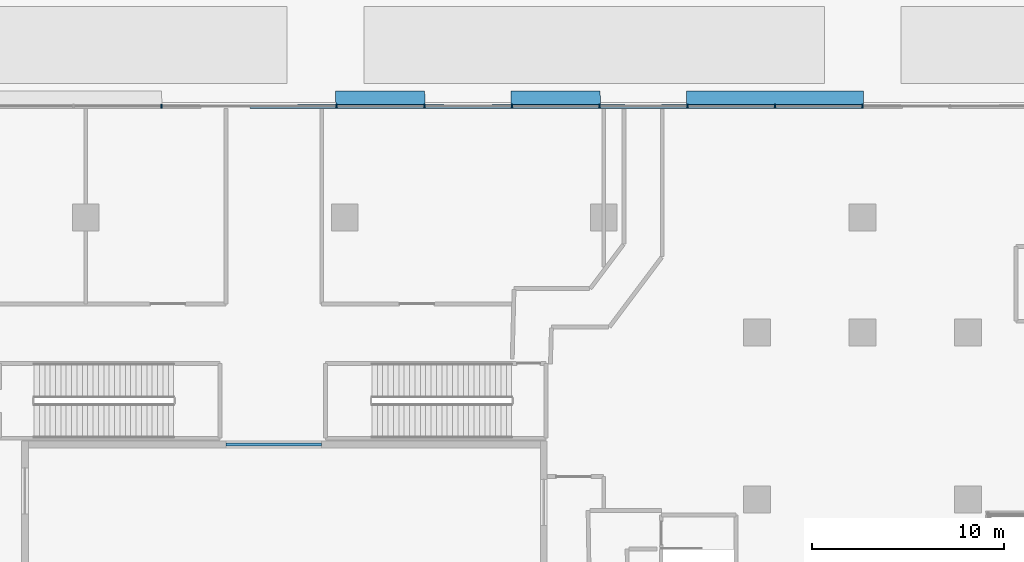
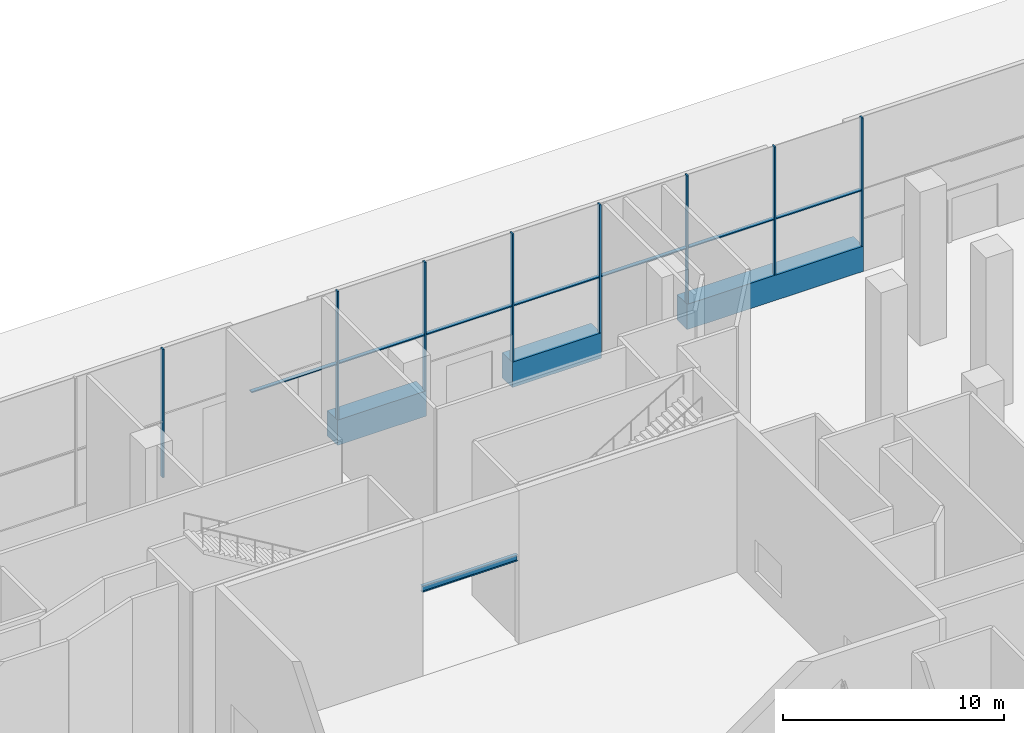
# One storey, part 9 of 54: 18 members, 1 beam, 1 element without a shape of its own.
"""IFC4 building model written with IfcOpenShell, lengths in metres."""

from ifc_helpers import new_model, si_unit, direction, frame, origin, origin_2d, place, context, subcontext, project, spatial, polyline, rectangle, i_section, outline, extrude, material, layer, layer_set, material_profile, profile_set, type_object, element, aggregate, save


model = new_model("IFC4")

# Units and contexts
model_context = context("Model", 3, precision=1e-05, world=origin(), true_north=direction((0.0, 1.0)))
body_context = subcontext(model_context, "Body", "Model", "MODEL_VIEW")
ifc_project = project(units=[si_unit("LENGTHUNIT", "METRE"), si_unit("AREAUNIT", "SQUARE_METRE"), si_unit("VOLUMEUNIT", "CUBIC_METRE"), si_unit("PLANEANGLEUNIT", "RADIAN"), si_unit("MASSUNIT", "GRAM", prefix="KILO")], contexts=[model_context])

# Site, building, storey
site_placement = place(None, origin())
site = spatial("IfcSite", under=ifc_project, at=site_placement, CompositionType="ELEMENT")
building_placement = place(site_placement, origin())
building = spatial("IfcBuilding", under=site, at=building_placement, Name="Tamarind Cross Interchange Tower", CompositionType="ELEMENT")
storey_placement = place(building_placement, origin())
storey = spatial("IfcBuildingStorey", under=building, at=storey_placement, Name="L00", CompositionType="ELEMENT", Elevation=0.0)

# Curtain wall, members
ifc_material_1 = material(Name="Aluminium 6063-T6", Category="aluminium")
ifc_layer = layer(ifc_material_1, 0.199951171875)
ifc_layer_set = layer_set([ifc_layer], Name="Aluminium 6063-T6")
curtain_wall_type = type_object("IfcCurtainWallType", Name="Podium shopfront and station curtain wall", PredefinedType="NOTDEFINED", material=ifc_layer_set)
curtain_wall_placement = place(storey_placement, origin())
curtain_wall = element("IfcCurtainWall", 1, at=curtain_wall_placement, inside=storey, type_object=curtain_wall_type, Name="CWS-L00-02", PredefinedType="NOTDEFINED")
ifc_material_2 = material(Name="Aluminium and insulated spandrel panel", Category="aluminium")
member_type_1 = type_object("IfcMemberType", Name="Floor-edge blade transom", PredefinedType="USERDEFINED", material=ifc_material_2)
member_1_placement = place(storey_placement, origin())
member_1 = element("IfcMember", 2, at=member_1_placement, type_object=member_type_1, Name="CWT-L00-02-4", ObjectType="TRANSOM", PredefinedType="USERDEFINED", context=body_context, shape_type="SweptSolid", body=[
    extrude(outline(polyline([(0.0400390625, 59.699951171875), (-9.179443359375, 59.699951171875), (-9.189697265625, 60.60009765625), (0.0400390625, 60.60009765625), (0.0400390625, 59.699951171875)])), origin(), (0.0, 0.0, 1.0), 1.39990234375),
])
member_2_placement = place(storey_placement, origin())
member_2 = element("IfcMember", 3, at=member_2_placement, type_object=member_type_1, Name="CWT-L00-02-5", ObjectType="TRANSOM", PredefinedType="USERDEFINED", context=body_context, shape_type="SweptSolid", body=[
    extrude(outline(polyline([(-13.669189453125, 59.699951171875), (-18.31884765625, 59.699951171875), (-18.33935546875, 60.60009765625), (-13.684326171875, 60.60009765625), (-13.669189453125, 59.699951171875)])), origin(), (0.0, 0.0, 1.0), 1.39990234375),
])
member_3_placement = place(storey_placement, origin())
member_3 = element("IfcMember", 4, at=member_3_placement, type_object=member_type_1, Name="CWT-L00-02-6", ObjectType="TRANSOM", PredefinedType="USERDEFINED", context=body_context, shape_type="SweptSolid", body=[
    extrude(outline(polyline([(-22.808837890625, 59.699951171875), (-27.45849609375, 59.699951171875), (-27.48876953125, 60.60009765625), (-22.833984375, 60.60009765625), (-22.808837890625, 59.699951171875)])), origin(), (0.0, 0.0, 1.0), 1.39990234375),
])
ifc_material_profile_1 = material_profile(ifc_material_1, rectangle(XDim=0.080078125, YDim=0.199951171875, at=origin_2d()), Name="Mullion CW3")
ifc_profile_set_1 = profile_set([ifc_material_profile_1], Name="Aluminium 6063-T6")
member_type_2 = type_object("IfcMemberType", Name="Mullion CW3", PredefinedType="MULLION", material=ifc_profile_set_1)
member_4_placement = place(storey_placement, frame((0.0, 59.800048828125, 1.39990234375), z_axis=(0.0, 0.0, 1.0), x_axis=(-1.0, 0.0, 0.0)))
member_4 = element("IfcMember", 5, at=member_4_placement, type_object=member_type_2, Name="CWM-L00-02-14", PredefinedType="MULLION", context=body_context, shape_type="SweptSolid", body=[
    extrude(rectangle(XDim=0.080078125, YDim=0.199951171875, at=origin_2d()), origin(), (0.0, 0.0, 1.0), 7.10009765625),
])
member_5_placement = place(storey_placement, frame((-4.5703125, 59.800048828125, 1.39990234375), z_axis=(0.0, 0.0, 1.0), x_axis=(-1.0, 0.0, 0.0)))
member_5 = element("IfcMember", 6, at=member_5_placement, type_object=member_type_2, Name="CWM-L00-02-15", PredefinedType="MULLION", context=body_context, shape_type="SweptSolid", body=[
    extrude(rectangle(XDim=0.080078125, YDim=0.199951171875, at=origin_2d()), origin(), (0.0, 0.0, 1.0), 7.10009765625),
])
member_6_placement = place(storey_placement, frame((-9.140625, 59.800048828125, 1.39990234375), z_axis=(0.0, 0.0, 1.0), x_axis=(-1.0, 0.0, 0.0)))
member_6 = element("IfcMember", 7, at=member_6_placement, type_object=member_type_2, Name="CWM-L00-02-16", PredefinedType="MULLION", context=body_context, shape_type="SweptSolid", body=[
    extrude(rectangle(XDim=0.080078125, YDim=0.199951171875, at=origin_2d()), origin(), (0.0, 0.0, 1.0), 7.10009765625),
])
member_7_placement = place(storey_placement, frame((-13.7109375, 59.800048828125, 1.39990234375), z_axis=(0.0, 0.0, 1.0), x_axis=(-1.0, 0.0, 0.0)))
member_7 = element("IfcMember", 8, at=member_7_placement, type_object=member_type_2, Name="CWM-L00-02-17", PredefinedType="MULLION", context=body_context, shape_type="SweptSolid", body=[
    extrude(rectangle(XDim=0.080078125, YDim=0.199951171875, at=origin_2d()), origin(), (0.0, 0.0, 1.0), 7.10009765625),
])
member_8_placement = place(storey_placement, frame((-18.28125, 59.800048828125, 1.39990234375), z_axis=(0.0, 0.0, 1.0), x_axis=(-1.0, 0.0, 0.0)))
member_8 = element("IfcMember", 9, at=member_8_placement, type_object=member_type_2, Name="CWM-L00-02-18", PredefinedType="MULLION", context=body_context, shape_type="SweptSolid", body=[
    extrude(rectangle(XDim=0.080078125, YDim=0.199951171875, at=origin_2d()), origin(), (0.0, 0.0, 1.0), 7.10009765625),
])
member_9_placement = place(storey_placement, frame((-22.8515625, 59.800048828125, 1.39990234375), z_axis=(0.0, 0.0, 1.0), x_axis=(-1.0, 0.0, 0.0)))
member_9 = element("IfcMember", 10, at=member_9_placement, type_object=member_type_2, Name="CWM-L00-02-19", PredefinedType="MULLION", context=body_context, shape_type="SweptSolid", body=[
    extrude(rectangle(XDim=0.080078125, YDim=0.199951171875, at=origin_2d()), origin(), (0.0, 0.0, 1.0), 7.10009765625),
])
member_10_placement = place(storey_placement, frame((-27.421875, 59.800048828125, 1.39990234375), z_axis=(0.0, 0.0, 1.0), x_axis=(-1.0, 0.0, 0.0)))
member_10 = element("IfcMember", 11, at=member_10_placement, type_object=member_type_2, Name="CWM-L00-02-20", PredefinedType="MULLION", context=body_context, shape_type="SweptSolid", body=[
    extrude(rectangle(XDim=0.080078125, YDim=0.199951171875, at=origin_2d()), origin(), (0.0, 0.0, 1.0), 7.10009765625),
])
member_11_placement = place(storey_placement, frame((-36.5625, 59.800048828125, 1.39990234375), z_axis=(0.0, 0.0, 1.0), x_axis=(-1.0, 0.0, 0.0)))
member_11 = element("IfcMember", 12, at=member_11_placement, type_object=member_type_2, Name="CWM-L00-02-22", PredefinedType="MULLION", context=body_context, shape_type="SweptSolid", body=[
    extrude(rectangle(XDim=0.080078125, YDim=0.199951171875, at=origin_2d()), origin(), (0.0, 0.0, 1.0), 7.10009765625),
])
member_type_3 = type_object("IfcMemberType", Name="Podium intermediate transom", PredefinedType="USERDEFINED", material=ifc_material_1)
member_12_placement = place(storey_placement, frame((0.0, 0.0, 4.469970703125)))
member_12 = element("IfcMember", 13, at=member_12_placement, type_object=member_type_3, Name="CWT-L00-02-I0-14", ObjectType="TRANSOM", PredefinedType="USERDEFINED", context=body_context, shape_type="SweptSolid", body=[
    extrude(outline(polyline([(-0.0400390625, 59.699951171875), (-4.5302734375, 59.699951171875), (-4.5302734375, 59.89990234375), (-0.0400390625, 59.89990234375), (-0.0400390625, 59.699951171875)])), origin(), (0.0, 0.0, 1.0), 0.06005859375),
])
member_13_placement = place(storey_placement, frame((0.0, 0.0, 4.469970703125)))
member_13 = element("IfcMember", 14, at=member_13_placement, type_object=member_type_3, Name="CWT-L00-02-I0-15", ObjectType="TRANSOM", PredefinedType="USERDEFINED", context=body_context, shape_type="SweptSolid", body=[
    extrude(outline(polyline([(-4.6103515625, 59.699951171875), (-9.1005859375, 59.699951171875), (-9.1005859375, 59.89990234375), (-4.6103515625, 59.89990234375), (-4.6103515625, 59.699951171875)])), origin(), (0.0, 0.0, 1.0), 0.06005859375),
])
member_14_placement = place(storey_placement, frame((0.0, 0.0, 4.469970703125)))
member_14 = element("IfcMember", 15, at=member_14_placement, type_object=member_type_3, Name="CWT-L00-02-I0-16", ObjectType="TRANSOM", PredefinedType="USERDEFINED", context=body_context, shape_type="SweptSolid", body=[
    extrude(outline(polyline([(-9.1806640625, 59.699951171875), (-13.6708984375, 59.699951171875), (-13.6708984375, 59.89990234375), (-9.1806640625, 59.89990234375), (-9.1806640625, 59.699951171875)])), origin(), (0.0, 0.0, 1.0), 0.06005859375),
])
member_15_placement = place(storey_placement, frame((0.0, 0.0, 4.469970703125)))
member_15 = element("IfcMember", 16, at=member_15_placement, type_object=member_type_3, Name="CWT-L00-02-I0-17", ObjectType="TRANSOM", PredefinedType="USERDEFINED", context=body_context, shape_type="SweptSolid", body=[
    extrude(outline(polyline([(-13.7509765625, 59.699951171875), (-18.2412109375, 59.699951171875), (-18.2412109375, 59.89990234375), (-13.7509765625, 59.89990234375), (-13.7509765625, 59.699951171875)])), origin(), (0.0, 0.0, 1.0), 0.06005859375),
])
member_16_placement = place(storey_placement, frame((0.0, 0.0, 4.469970703125)))
member_16 = element("IfcMember", 17, at=member_16_placement, type_object=member_type_3, Name="CWT-L00-02-I0-18", ObjectType="TRANSOM", PredefinedType="USERDEFINED", context=body_context, shape_type="SweptSolid", body=[
    extrude(outline(polyline([(-18.3212890625, 59.699951171875), (-22.8115234375, 59.699951171875), (-22.8115234375, 59.89990234375), (-18.3212890625, 59.89990234375), (-18.3212890625, 59.699951171875)])), origin(), (0.0, 0.0, 1.0), 0.06005859375),
])
member_17_placement = place(storey_placement, frame((0.0, 0.0, 4.469970703125)))
member_17 = element("IfcMember", 18, at=member_17_placement, type_object=member_type_3, Name="CWT-L00-02-I0-19", ObjectType="TRANSOM", PredefinedType="USERDEFINED", context=body_context, shape_type="SweptSolid", body=[
    extrude(outline(polyline([(-22.8916015625, 59.699951171875), (-27.3818359375, 59.699951171875), (-27.3818359375, 59.89990234375), (-22.8916015625, 59.89990234375), (-22.8916015625, 59.699951171875)])), origin(), (0.0, 0.0, 1.0), 0.06005859375),
])
member_18_placement = place(storey_placement, frame((0.0, 0.0, 4.469970703125)))
member_18 = element("IfcMember", 19, at=member_18_placement, type_object=member_type_3, Name="CWT-L00-02-I0-20", ObjectType="TRANSOM", PredefinedType="USERDEFINED", context=body_context, shape_type="SweptSolid", body=[
    extrude(outline(polyline([(-27.4619140625, 59.699951171875), (-31.9521484375, 59.699951171875), (-31.9521484375, 59.89990234375), (-27.4619140625, 59.89990234375), (-27.4619140625, 59.699951171875)])), origin(), (0.0, 0.0, 1.0), 0.06005859375),
])
aggregate(curtain_wall, [member_4, member_5, member_6, member_7, member_8, member_9, member_10, member_11, member_12, member_13, member_14, member_15, member_16, member_17, member_18, member_1, member_2, member_3])

# Beam
ifc_material_3 = material(Name="Steel Q355B", Category="steel")
ifc_material_profile_2 = material_profile(ifc_material_3, i_section(OverallWidth=0.174072265625, OverallDepth=0.345947265625, WebThickness=0.006103515625, FlangeThickness=0.009033203125, FilletRadius=0.012939453125, at=origin_2d()), Name="HN 346x174x6x9")
ifc_profile_set_2 = profile_set([ifc_material_profile_2], Name="Steel Q355B")
beam_type = type_object("IfcBeamType", Name="Portal lintel beam HN 346x174x6x9 Q355B", PredefinedType="BEAM", material=ifc_profile_set_2)
beam_placement = place(storey_placement, frame((-33.199951171875, 42.175048828125, 4.72705078125), z_axis=(1.0, 0.0, 0.0), x_axis=(0.0, 1.0, 0.0)))
element("IfcBeam", 20, at=beam_placement, inside=storey, type_object=beam_type, Name="Lintel over the NW fire lane portal", PredefinedType="BEAM", context=body_context, shape_type="SweptSolid", body=[
    extrude(i_section(OverallWidth=0.174072265625, OverallDepth=0.345947265625, WebThickness=0.006103515625, FlangeThickness=0.009033203125, FilletRadius=0.012939453125, at=origin_2d()), origin(), (0.0, 0.0, 1.0), 5.0),
])

save(model, "model.ifc")
